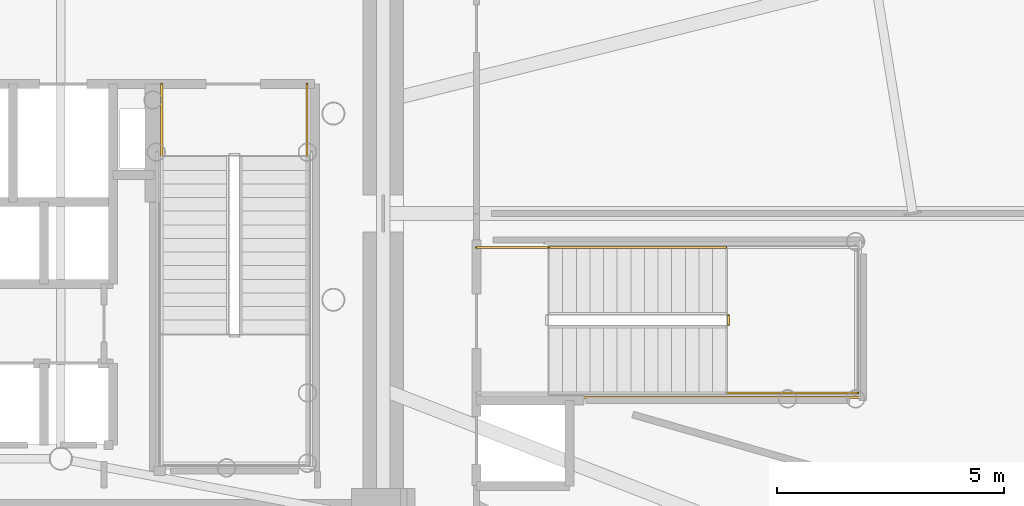
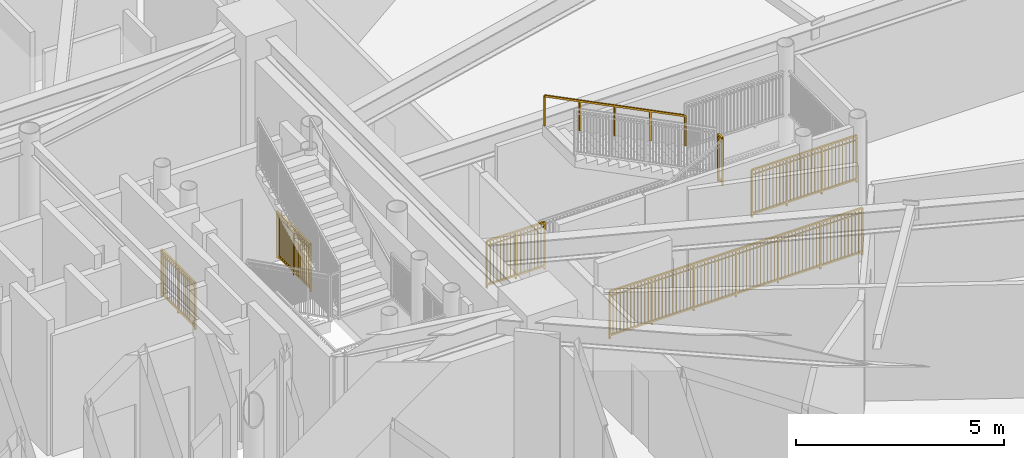
# One storey, part 30 of 32: 7 railings.
"""IFC4 building model written with IfcOpenShell, lengths in metres."""

from ifc_helpers import new_model, si_unit, direction, frame, origin, origin_2d, place, context, subcontext, project, spatial, rectangle, extrude, source, transform, mapped, material, type_object, element, save


model = new_model("IFC4")

# Units and contexts
model_context = context("Model", 3, precision=1e-05, world=origin(), true_north=direction((0.0, 1.0)))
body_context = subcontext(model_context, "Body", "Model", "MODEL_VIEW")
ifc_project = project(units=[si_unit("LENGTHUNIT", "METRE"), si_unit("AREAUNIT", "SQUARE_METRE"), si_unit("VOLUMEUNIT", "CUBIC_METRE"), si_unit("PLANEANGLEUNIT", "RADIAN"), si_unit("MASSUNIT", "GRAM", prefix="KILO")], contexts=[model_context])

# Site, building, storey
site_placement = place(None, origin())
site = spatial("IfcSite", under=ifc_project, at=site_placement, CompositionType="ELEMENT")
building_placement = place(site_placement, origin())
building = spatial("IfcBuilding", under=site, at=building_placement, Name="Linh Dai School and Residence Tower", CompositionType="ELEMENT")
storey_placement = place(building_placement, frame((0.0, 0.0, 53.39990234375)))
storey = spatial("IfcBuildingStorey", under=building, at=storey_placement, Name="L12", CompositionType="ELEMENT", Elevation=53.39990234375)

# Railings
ifc_material_1 = material(Name="Structural Steel S355JR", Category="steel")
railing_type_1 = type_object("IfcRailingType", Name="RL-ST-GUARD-1400", PredefinedType="GUARDRAIL", material=ifc_material_1)
shared_shape_1 = source(origin(), body_context, "Body", "SweptSolid", [
    extrude(rectangle(XDim=0.048095703125, YDim=0.048095703125, at=origin_2d()), frame((0.0, 0.0, 1.3759765625), z_axis=(0.0, -1.0, 0.0), x_axis=(1.0, 0.0, 0.0)), (0.0, 0.0, 1.0), 1.60009765625),
    extrude(rectangle(XDim=0.048095703125, YDim=0.048095703125, at=origin_2d()), frame((0.0, 0.0, 0.10009765625), z_axis=(0.0, -1.0, 0.0), x_axis=(1.0, 0.0, 0.0)), (0.0, 0.0, 1.0), 1.60009765625),
    extrude(rectangle(XDim=0.030029296875, YDim=0.030029296875, at=origin_2d()), frame((0.0, 0.0, 1.239990234375), z_axis=(0.0, -1.0, 0.0), x_axis=(1.0, 0.0, 0.0)), (0.0, 0.0, 1.0), 1.60009765625),
    extrude(rectangle(XDim=0.02001953125, YDim=0.02001953125, at=origin_2d()), frame((0.0, -0.09423828125, 0.10009765625)), (0.0, 0.0, 1.0), 1.251708984375),
    extrude(rectangle(XDim=0.02001953125, YDim=0.02001953125, at=origin_2d()), frame((0.0, -0.188232421875, 0.10009765625)), (0.0, 0.0, 1.0), 1.251708984375),
    extrude(rectangle(XDim=0.02001953125, YDim=0.02001953125, at=origin_2d()), frame((0.0, -0.282470703125, 0.10009765625)), (0.0, 0.0, 1.0), 1.251708984375),
    extrude(rectangle(XDim=0.02001953125, YDim=0.02001953125, at=origin_2d()), frame((0.0, -0.37646484375, 0.10009765625)), (0.0, 0.0, 1.0), 1.251708984375),
    extrude(rectangle(XDim=0.02001953125, YDim=0.02001953125, at=origin_2d()), frame((0.0, -0.470703125, 0.10009765625)), (0.0, 0.0, 1.0), 1.251708984375),
    extrude(rectangle(XDim=0.02001953125, YDim=0.02001953125, at=origin_2d()), frame((0.0, -0.564697265625, 0.10009765625)), (0.0, 0.0, 1.0), 1.251708984375),
    extrude(rectangle(XDim=0.02001953125, YDim=0.02001953125, at=origin_2d()), frame((0.0, -0.658935546875, 0.10009765625)), (0.0, 0.0, 1.0), 1.251708984375),
    extrude(rectangle(XDim=0.02001953125, YDim=0.02001953125, at=origin_2d()), frame((0.0, -0.7529296875, 0.10009765625)), (0.0, 0.0, 1.0), 1.251708984375),
    extrude(rectangle(XDim=0.02001953125, YDim=0.02001953125, at=origin_2d()), frame((0.0, -0.84716796875, 0.10009765625)), (0.0, 0.0, 1.0), 1.251708984375),
    extrude(rectangle(XDim=0.02001953125, YDim=0.02001953125, at=origin_2d()), frame((0.0, -0.941162109375, 0.10009765625)), (0.0, 0.0, 1.0), 1.251708984375),
    extrude(rectangle(XDim=0.02001953125, YDim=0.02001953125, at=origin_2d()), frame((0.0, -1.035400390625, 0.10009765625)), (0.0, 0.0, 1.0), 1.251708984375),
    extrude(rectangle(XDim=0.02001953125, YDim=0.02001953125, at=origin_2d()), frame((0.0, -1.12939453125, 0.10009765625)), (0.0, 0.0, 1.0), 1.251708984375),
    extrude(rectangle(XDim=0.02001953125, YDim=0.02001953125, at=origin_2d()), frame((0.0, -1.2236328125, 0.10009765625)), (0.0, 0.0, 1.0), 1.251708984375),
    extrude(rectangle(XDim=0.02001953125, YDim=0.02001953125, at=origin_2d()), frame((0.0, -1.317626953125, 0.10009765625)), (0.0, 0.0, 1.0), 1.251708984375),
    extrude(rectangle(XDim=0.02001953125, YDim=0.02001953125, at=origin_2d()), frame((0.0, -1.411865234375, 0.10009765625)), (0.0, 0.0, 1.0), 1.251708984375),
    extrude(rectangle(XDim=0.02001953125, YDim=0.02001953125, at=origin_2d()), frame((0.0, -1.505859375, 0.10009765625)), (0.0, 0.0, 1.0), 1.251708984375),
    extrude(rectangle(XDim=0.0419921875, YDim=0.0419921875, at=origin_2d()), origin(), (0.0, 0.0, 1.0), 1.3759765625),
    extrude(rectangle(XDim=0.0419921875, YDim=0.0419921875, at=origin_2d()), frame((0.0, -0.800048828125, 0.0)), (0.0, 0.0, 1.0), 1.3759765625),
    extrude(rectangle(XDim=0.0419921875, YDim=0.0419921875, at=origin_2d()), frame((0.0, -1.60009765625, 0.0)), (0.0, 0.0, 1.0), 1.3759765625),
])
for number, where, name in (
    (1, (41.070068359375, 29.85009765625, 0.0), "L12 ST2 stair guard 8"),
    (2, (44.27001953125, 29.85009765625, 0.0), "L12 ST2 stair guard 9"),
):
    element("IfcRailing", number, at=place(storey_placement, frame(where)), inside=storey, type_object=railing_type_1, Name=name, PredefinedType="GUARDRAIL", context=body_context, shape_type="MappedRepresentation", body=[
        mapped(shared_shape_1, transform((0.0, 0.0, 0.0), x_axis=(1.0, 0.0, 0.0), y_axis=(0.0, 1.0, 0.0), z_axis=(0.0, 0.0, 1.0), scale=1.0)),
    ])
ifc_material_2 = material(Name="Brushed Stainless Steel Handrail", Category="steel")
railing_type_2 = type_object("IfcRailingType", Name="RL-ST-HANDRAIL-900", PredefinedType="HANDRAIL", material=ifc_material_2)
shared_shape_2 = source(origin(), body_context, "Body", "SweptSolid", [
    extrude(rectangle(XDim=0.048095703125, YDim=0.048095703125, at=origin_2d()), frame((0.0, 0.0, 0.8759765625), z_axis=(-0.894404793364, 0.0, 0.447258387967), x_axis=(0.0, -1.0, 0.0)), (0.0, 0.0, 1.0), 4.3603515625),
    extrude(rectangle(XDim=0.0419921875, YDim=0.0419921875, at=origin_2d()), origin(), (0.0, 0.0, 1.0), 0.8759765625),
    extrude(rectangle(XDim=0.0419921875, YDim=0.0419921875, at=origin_2d()), frame((-0.97509765625, 0.0, 0.487548828125)), (0.0, 0.0, 1.0), 0.8759765625),
    extrude(rectangle(XDim=0.0419921875, YDim=0.0419921875, at=origin_2d()), frame((-1.949951171875, 0.0, 0.97509765625)), (0.0, 0.0, 1.0), 0.8759765625),
    extrude(rectangle(XDim=0.0419921875, YDim=0.0419921875, at=origin_2d()), frame((-2.9248046875, 0.0, 1.462646484375)), (0.0, 0.0, 1.0), 0.8759765625),
    extrude(rectangle(XDim=0.0419921875, YDim=0.0419921875, at=origin_2d()), frame((-3.89990234375, 0.0, 1.9501953125)), (0.0, 0.0, 1.0), 0.8759765625),
])
railing_1_placement = place(storey_placement, frame((53.5, 26.25, 2.25)))
element("IfcRailing", 3, at=railing_1_placement, inside=storey, type_object=railing_type_2, Name="L12 STS2 stair handrail 2", PredefinedType="HANDRAIL", context=body_context, shape_type="MappedRepresentation", body=[
    mapped(shared_shape_2, transform((0.0, 0.0, 0.0), x_axis=(1.0, 0.0, 0.0), y_axis=(0.0, 1.0, 0.0), z_axis=(0.0, 0.0, 1.0), scale=1.0)),
])
shared_shape_3 = source(origin(), body_context, "Body", "SweptSolid", [
    extrude(rectangle(XDim=0.048095703125, YDim=0.048095703125, at=origin_2d()), frame((0.0, 0.0, 1.3759765625), z_axis=(0.0, 1.0, 0.0), x_axis=(-1.0, 0.0, 0.0)), (0.0, 0.0, 1.0), 0.199951171875),
    extrude(rectangle(XDim=0.048095703125, YDim=0.048095703125, at=origin_2d()), frame((0.0, 0.0, 0.10009765625), z_axis=(0.0, 1.0, 0.0), x_axis=(-1.0, 0.0, 0.0)), (0.0, 0.0, 1.0), 0.199951171875),
    extrude(rectangle(XDim=0.030029296875, YDim=0.030029296875, at=origin_2d()), frame((0.0, 0.0, 1.239990234375), z_axis=(0.0, 1.0, 0.0), x_axis=(-1.0, 0.0, 0.0)), (0.0, 0.0, 1.0), 0.199951171875),
    extrude(rectangle(XDim=0.0419921875, YDim=0.0419921875, at=origin_2d()), origin(), (0.0, 0.0, 1.0), 1.3759765625),
    extrude(rectangle(XDim=0.0419921875, YDim=0.0419921875, at=origin_2d()), frame((0.0, 0.199951171875, 0.0)), (0.0, 0.0, 1.0), 1.3759765625),
])
railing_2_placement = place(storey_placement, frame((53.550048828125, 24.550048828125, 2.10009765625)))
element("IfcRailing", 4, at=railing_2_placement, inside=storey, type_object=railing_type_1, Name="L12 STS2 stair guard 2", PredefinedType="GUARDRAIL", context=body_context, shape_type="MappedRepresentation", body=[
    mapped(shared_shape_3, transform((0.0, 0.0, 0.0), x_axis=(1.0, 0.0, 0.0), y_axis=(0.0, 1.0, 0.0), z_axis=(0.0, 0.0, 1.0), scale=1.0)),
])
shared_shape_4 = source(origin(), body_context, "Body", "SweptSolid", [
    extrude(rectangle(XDim=0.048095703125, YDim=0.048095703125, at=origin_2d()), frame((0.0, 0.0, 1.3759765625), z_axis=(1.0, 0.0, 0.0), x_axis=(0.0, 1.0, 0.0)), (0.0, 0.0, 1.0), 1.60009765625),
    extrude(rectangle(XDim=0.048095703125, YDim=0.048095703125, at=origin_2d()), frame((0.0, 0.0, 0.10009765625), z_axis=(1.0, 0.0, 0.0), x_axis=(0.0, 1.0, 0.0)), (0.0, 0.0, 1.0), 1.60009765625),
    extrude(rectangle(XDim=0.030029296875, YDim=0.030029296875, at=origin_2d()), frame((0.0, 0.0, 1.239990234375), z_axis=(1.0, 0.0, 0.0), x_axis=(0.0, 1.0, 0.0)), (0.0, 0.0, 1.0), 1.60009765625),
    extrude(rectangle(XDim=0.02001953125, YDim=0.02001953125, at=origin_2d()), frame((0.09423828125, 0.0, 0.10009765625)), (0.0, 0.0, 1.0), 1.251708984375),
    extrude(rectangle(XDim=0.02001953125, YDim=0.02001953125, at=origin_2d()), frame((0.188232421875, 0.0, 0.10009765625)), (0.0, 0.0, 1.0), 1.251708984375),
    extrude(rectangle(XDim=0.02001953125, YDim=0.02001953125, at=origin_2d()), frame((0.282470703125, 0.0, 0.10009765625)), (0.0, 0.0, 1.0), 1.251708984375),
    extrude(rectangle(XDim=0.02001953125, YDim=0.02001953125, at=origin_2d()), frame((0.37646484375, 0.0, 0.10009765625)), (0.0, 0.0, 1.0), 1.251708984375),
    extrude(rectangle(XDim=0.02001953125, YDim=0.02001953125, at=origin_2d()), frame((0.470703125, 0.0, 0.10009765625)), (0.0, 0.0, 1.0), 1.251708984375),
    extrude(rectangle(XDim=0.02001953125, YDim=0.02001953125, at=origin_2d()), frame((0.564697265625, 0.0, 0.10009765625)), (0.0, 0.0, 1.0), 1.251708984375),
    extrude(rectangle(XDim=0.02001953125, YDim=0.02001953125, at=origin_2d()), frame((0.658935546875, 0.0, 0.10009765625)), (0.0, 0.0, 1.0), 1.251708984375),
    extrude(rectangle(XDim=0.02001953125, YDim=0.02001953125, at=origin_2d()), frame((0.7529296875, 0.0, 0.10009765625)), (0.0, 0.0, 1.0), 1.251708984375),
    extrude(rectangle(XDim=0.02001953125, YDim=0.02001953125, at=origin_2d()), frame((0.84716796875, 0.0, 0.10009765625)), (0.0, 0.0, 1.0), 1.251708984375),
    extrude(rectangle(XDim=0.02001953125, YDim=0.02001953125, at=origin_2d()), frame((0.941162109375, 0.0, 0.10009765625)), (0.0, 0.0, 1.0), 1.251708984375),
    extrude(rectangle(XDim=0.02001953125, YDim=0.02001953125, at=origin_2d()), frame((1.035400390625, 0.0, 0.10009765625)), (0.0, 0.0, 1.0), 1.251708984375),
    extrude(rectangle(XDim=0.02001953125, YDim=0.02001953125, at=origin_2d()), frame((1.12939453125, 0.0, 0.10009765625)), (0.0, 0.0, 1.0), 1.251708984375),
    extrude(rectangle(XDim=0.02001953125, YDim=0.02001953125, at=origin_2d()), frame((1.2236328125, 0.0, 0.10009765625)), (0.0, 0.0, 1.0), 1.251708984375),
    extrude(rectangle(XDim=0.02001953125, YDim=0.02001953125, at=origin_2d()), frame((1.317626953125, 0.0, 0.10009765625)), (0.0, 0.0, 1.0), 1.251708984375),
    extrude(rectangle(XDim=0.02001953125, YDim=0.02001953125, at=origin_2d()), frame((1.411865234375, 0.0, 0.10009765625)), (0.0, 0.0, 1.0), 1.251708984375),
    extrude(rectangle(XDim=0.02001953125, YDim=0.02001953125, at=origin_2d()), frame((1.505859375, 0.0, 0.10009765625)), (0.0, 0.0, 1.0), 1.251708984375),
    extrude(rectangle(XDim=0.0419921875, YDim=0.0419921875, at=origin_2d()), origin(), (0.0, 0.0, 1.0), 1.3759765625),
    extrude(rectangle(XDim=0.0419921875, YDim=0.0419921875, at=origin_2d()), frame((0.800048828125, 0.0, 0.0)), (0.0, 0.0, 1.0), 1.3759765625),
    extrude(rectangle(XDim=0.0419921875, YDim=0.0419921875, at=origin_2d()), frame((1.60009765625, 0.0, 0.0)), (0.0, 0.0, 1.0), 1.3759765625),
])
railing_3_placement = place(storey_placement, frame((48.0, 26.25, 0.0)))
element("IfcRailing", 5, at=railing_3_placement, inside=storey, type_object=railing_type_1, Name="L12 STS2 stair guard 9", PredefinedType="GUARDRAIL", context=body_context, shape_type="MappedRepresentation", body=[
    mapped(shared_shape_4, transform((0.0, 0.0, 0.0), x_axis=(1.0, 0.0, 0.0), y_axis=(0.0, 1.0, 0.0), z_axis=(0.0, 0.0, 1.0), scale=1.0)),
])
shared_shape_5 = source(origin(), body_context, "Body", "SweptSolid", [
    extrude(rectangle(XDim=0.048095703125, YDim=0.048095703125, at=origin_2d()), frame((0.0, 0.0, 1.3759765625), z_axis=(1.0, 0.0, 0.0), x_axis=(0.0, 1.0, 0.0)), (0.0, 0.0, 1.0), 2.89990234375),
    extrude(rectangle(XDim=0.048095703125, YDim=0.048095703125, at=origin_2d()), frame((0.0, 0.0, 0.10009765625), z_axis=(1.0, 0.0, 0.0), x_axis=(0.0, 1.0, 0.0)), (0.0, 0.0, 1.0), 2.89990234375),
    extrude(rectangle(XDim=0.030029296875, YDim=0.030029296875, at=origin_2d()), frame((0.0, 0.0, 1.239990234375), z_axis=(1.0, 0.0, 0.0), x_axis=(0.0, 1.0, 0.0)), (0.0, 0.0, 1.0), 2.89990234375),
    extrude(rectangle(XDim=0.02001953125, YDim=0.02001953125, at=origin_2d()), frame((0.0966796875, 0.0, 0.10009765625)), (0.0, 0.0, 1.0), 1.251708984375),
    extrude(rectangle(XDim=0.02001953125, YDim=0.02001953125, at=origin_2d()), frame((0.193359375, 0.0, 0.10009765625)), (0.0, 0.0, 1.0), 1.251708984375),
    extrude(rectangle(XDim=0.02001953125, YDim=0.02001953125, at=origin_2d()), frame((0.2900390625, 0.0, 0.10009765625)), (0.0, 0.0, 1.0), 1.251708984375),
    extrude(rectangle(XDim=0.02001953125, YDim=0.02001953125, at=origin_2d()), frame((0.38671875, 0.0, 0.10009765625)), (0.0, 0.0, 1.0), 1.251708984375),
    extrude(rectangle(XDim=0.02001953125, YDim=0.02001953125, at=origin_2d()), frame((0.4833984375, 0.0, 0.10009765625)), (0.0, 0.0, 1.0), 1.251708984375),
    extrude(rectangle(XDim=0.02001953125, YDim=0.02001953125, at=origin_2d()), frame((0.580078125, 0.0, 0.10009765625)), (0.0, 0.0, 1.0), 1.251708984375),
    extrude(rectangle(XDim=0.02001953125, YDim=0.02001953125, at=origin_2d()), frame((0.6767578125, 0.0, 0.10009765625)), (0.0, 0.0, 1.0), 1.251708984375),
    extrude(rectangle(XDim=0.02001953125, YDim=0.02001953125, at=origin_2d()), frame((0.773193359375, 0.0, 0.10009765625)), (0.0, 0.0, 1.0), 1.251708984375),
    extrude(rectangle(XDim=0.02001953125, YDim=0.02001953125, at=origin_2d()), frame((0.869873046875, 0.0, 0.10009765625)), (0.0, 0.0, 1.0), 1.251708984375),
    extrude(rectangle(XDim=0.02001953125, YDim=0.02001953125, at=origin_2d()), frame((1.063232421875, 0.0, 0.10009765625)), (0.0, 0.0, 1.0), 1.251708984375),
    extrude(rectangle(XDim=0.02001953125, YDim=0.02001953125, at=origin_2d()), frame((1.159912109375, 0.0, 0.10009765625)), (0.0, 0.0, 1.0), 1.251708984375),
    extrude(rectangle(XDim=0.02001953125, YDim=0.02001953125, at=origin_2d()), frame((1.256591796875, 0.0, 0.10009765625)), (0.0, 0.0, 1.0), 1.251708984375),
    extrude(rectangle(XDim=0.02001953125, YDim=0.02001953125, at=origin_2d()), frame((1.353271484375, 0.0, 0.10009765625)), (0.0, 0.0, 1.0), 1.251708984375),
    extrude(rectangle(XDim=0.02001953125, YDim=0.02001953125, at=origin_2d()), frame((1.449951171875, 0.0, 0.10009765625)), (0.0, 0.0, 1.0), 1.251708984375),
    extrude(rectangle(XDim=0.02001953125, YDim=0.02001953125, at=origin_2d()), frame((1.546630859375, 0.0, 0.10009765625)), (0.0, 0.0, 1.0), 1.251708984375),
    extrude(rectangle(XDim=0.02001953125, YDim=0.02001953125, at=origin_2d()), frame((1.643310546875, 0.0, 0.10009765625)), (0.0, 0.0, 1.0), 1.251708984375),
    extrude(rectangle(XDim=0.02001953125, YDim=0.02001953125, at=origin_2d()), frame((1.739990234375, 0.0, 0.10009765625)), (0.0, 0.0, 1.0), 1.251708984375),
    extrude(rectangle(XDim=0.02001953125, YDim=0.02001953125, at=origin_2d()), frame((1.836669921875, 0.0, 0.10009765625)), (0.0, 0.0, 1.0), 1.251708984375),
    extrude(rectangle(XDim=0.02001953125, YDim=0.02001953125, at=origin_2d()), frame((2.030029296875, 0.0, 0.10009765625)), (0.0, 0.0, 1.0), 1.251708984375),
    extrude(rectangle(XDim=0.02001953125, YDim=0.02001953125, at=origin_2d()), frame((2.126708984375, 0.0, 0.10009765625)), (0.0, 0.0, 1.0), 1.251708984375),
    extrude(rectangle(XDim=0.02001953125, YDim=0.02001953125, at=origin_2d()), frame((2.22314453125, 0.0, 0.10009765625)), (0.0, 0.0, 1.0), 1.251708984375),
    extrude(rectangle(XDim=0.02001953125, YDim=0.02001953125, at=origin_2d()), frame((2.31982421875, 0.0, 0.10009765625)), (0.0, 0.0, 1.0), 1.251708984375),
    extrude(rectangle(XDim=0.02001953125, YDim=0.02001953125, at=origin_2d()), frame((2.41650390625, 0.0, 0.10009765625)), (0.0, 0.0, 1.0), 1.251708984375),
    extrude(rectangle(XDim=0.02001953125, YDim=0.02001953125, at=origin_2d()), frame((2.51318359375, 0.0, 0.10009765625)), (0.0, 0.0, 1.0), 1.251708984375),
    extrude(rectangle(XDim=0.02001953125, YDim=0.02001953125, at=origin_2d()), frame((2.60986328125, 0.0, 0.10009765625)), (0.0, 0.0, 1.0), 1.251708984375),
    extrude(rectangle(XDim=0.02001953125, YDim=0.02001953125, at=origin_2d()), frame((2.70654296875, 0.0, 0.10009765625)), (0.0, 0.0, 1.0), 1.251708984375),
    extrude(rectangle(XDim=0.02001953125, YDim=0.02001953125, at=origin_2d()), frame((2.80322265625, 0.0, 0.10009765625)), (0.0, 0.0, 1.0), 1.251708984375),
    extrude(rectangle(XDim=0.0419921875, YDim=0.0419921875, at=origin_2d()), origin(), (0.0, 0.0, 1.0), 1.3759765625),
    extrude(rectangle(XDim=0.0419921875, YDim=0.0419921875, at=origin_2d()), frame((0.966552734375, 0.0, 0.0)), (0.0, 0.0, 1.0), 1.3759765625),
    extrude(rectangle(XDim=0.0419921875, YDim=0.0419921875, at=origin_2d()), frame((1.933349609375, 0.0, 0.0)), (0.0, 0.0, 1.0), 1.3759765625),
    extrude(rectangle(XDim=0.0419921875, YDim=0.0419921875, at=origin_2d()), frame((2.89990234375, 0.0, 0.0)), (0.0, 0.0, 1.0), 1.3759765625),
])
railing_4_placement = place(storey_placement, frame((53.5, 23.050048828125, 2.10009765625)))
element("IfcRailing", 6, at=railing_4_placement, inside=storey, type_object=railing_type_1, Name="L12 STS2 stair guard 3", PredefinedType="GUARDRAIL", context=body_context, shape_type="MappedRepresentation", body=[
    mapped(shared_shape_5, transform((0.0, 0.0, 0.0), x_axis=(1.0, 0.0, 0.0), y_axis=(0.0, 1.0, 0.0), z_axis=(0.0, 0.0, 1.0), scale=1.0)),
])
shared_shape_6 = source(origin(), body_context, "Body", "SweptSolid", [
    extrude(rectangle(XDim=0.048095703125, YDim=0.048095703125, at=origin_2d()), frame((0.0, 0.0, 1.3759765625), z_axis=(1.0, 0.0, 0.0), x_axis=(0.0, 1.0, 0.0)), (0.0, 0.0, 1.0), 7.0),
    extrude(rectangle(XDim=0.048095703125, YDim=0.048095703125, at=origin_2d()), frame((0.0, 0.0, 0.10009765625), z_axis=(1.0, 0.0, 0.0), x_axis=(0.0, 1.0, 0.0)), (0.0, 0.0, 1.0), 7.0),
    extrude(rectangle(XDim=0.030029296875, YDim=0.030029296875, at=origin_2d()), frame((0.0, 0.0, 1.239990234375), z_axis=(1.0, 0.0, 0.0), x_axis=(0.0, 1.0, 0.0)), (0.0, 0.0, 1.0), 7.0),
    extrude(rectangle(XDim=0.02001953125, YDim=0.02001953125, at=origin_2d()), frame((0.09716796875, 0.0, 0.10009765625)), (0.0, 0.0, 1.0), 1.251708984375),
    extrude(rectangle(XDim=0.02001953125, YDim=0.02001953125, at=origin_2d()), frame((0.1943359375, 0.0, 0.10009765625)), (0.0, 0.0, 1.0), 1.251708984375),
    extrude(rectangle(XDim=0.02001953125, YDim=0.02001953125, at=origin_2d()), frame((0.291748046875, 0.0, 0.10009765625)), (0.0, 0.0, 1.0), 1.251708984375),
    extrude(rectangle(XDim=0.02001953125, YDim=0.02001953125, at=origin_2d()), frame((0.388916015625, 0.0, 0.10009765625)), (0.0, 0.0, 1.0), 1.251708984375),
    extrude(rectangle(XDim=0.02001953125, YDim=0.02001953125, at=origin_2d()), frame((0.486083984375, 0.0, 0.10009765625)), (0.0, 0.0, 1.0), 1.251708984375),
    extrude(rectangle(XDim=0.02001953125, YDim=0.02001953125, at=origin_2d()), frame((0.583251953125, 0.0, 0.10009765625)), (0.0, 0.0, 1.0), 1.251708984375),
    extrude(rectangle(XDim=0.02001953125, YDim=0.02001953125, at=origin_2d()), frame((0.6806640625, 0.0, 0.10009765625)), (0.0, 0.0, 1.0), 1.251708984375),
    extrude(rectangle(XDim=0.02001953125, YDim=0.02001953125, at=origin_2d()), frame((0.77783203125, 0.0, 0.10009765625)), (0.0, 0.0, 1.0), 1.251708984375),
    extrude(rectangle(XDim=0.02001953125, YDim=0.02001953125, at=origin_2d()), frame((0.875, 0.0, 0.10009765625)), (0.0, 0.0, 1.0), 1.251708984375),
    extrude(rectangle(XDim=0.02001953125, YDim=0.02001953125, at=origin_2d()), frame((0.97216796875, 0.0, 0.10009765625)), (0.0, 0.0, 1.0), 1.251708984375),
    extrude(rectangle(XDim=0.02001953125, YDim=0.02001953125, at=origin_2d()), frame((1.0693359375, 0.0, 0.10009765625)), (0.0, 0.0, 1.0), 1.251708984375),
    extrude(rectangle(XDim=0.02001953125, YDim=0.02001953125, at=origin_2d()), frame((1.263916015625, 0.0, 0.10009765625)), (0.0, 0.0, 1.0), 1.251708984375),
    extrude(rectangle(XDim=0.02001953125, YDim=0.02001953125, at=origin_2d()), frame((1.361083984375, 0.0, 0.10009765625)), (0.0, 0.0, 1.0), 1.251708984375),
    extrude(rectangle(XDim=0.02001953125, YDim=0.02001953125, at=origin_2d()), frame((1.458251953125, 0.0, 0.10009765625)), (0.0, 0.0, 1.0), 1.251708984375),
    extrude(rectangle(XDim=0.02001953125, YDim=0.02001953125, at=origin_2d()), frame((1.5556640625, 0.0, 0.10009765625)), (0.0, 0.0, 1.0), 1.251708984375),
    extrude(rectangle(XDim=0.02001953125, YDim=0.02001953125, at=origin_2d()), frame((1.65283203125, 0.0, 0.10009765625)), (0.0, 0.0, 1.0), 1.251708984375),
    extrude(rectangle(XDim=0.02001953125, YDim=0.02001953125, at=origin_2d()), frame((1.75, 0.0, 0.10009765625)), (0.0, 0.0, 1.0), 1.251708984375),
    extrude(rectangle(XDim=0.02001953125, YDim=0.02001953125, at=origin_2d()), frame((1.84716796875, 0.0, 0.10009765625)), (0.0, 0.0, 1.0), 1.251708984375),
    extrude(rectangle(XDim=0.02001953125, YDim=0.02001953125, at=origin_2d()), frame((1.9443359375, 0.0, 0.10009765625)), (0.0, 0.0, 1.0), 1.251708984375),
    extrude(rectangle(XDim=0.02001953125, YDim=0.02001953125, at=origin_2d()), frame((2.041748046875, 0.0, 0.10009765625)), (0.0, 0.0, 1.0), 1.251708984375),
    extrude(rectangle(XDim=0.02001953125, YDim=0.02001953125, at=origin_2d()), frame((2.138916015625, 0.0, 0.10009765625)), (0.0, 0.0, 1.0), 1.251708984375),
    extrude(rectangle(XDim=0.02001953125, YDim=0.02001953125, at=origin_2d()), frame((2.236083984375, 0.0, 0.10009765625)), (0.0, 0.0, 1.0), 1.251708984375),
    extrude(rectangle(XDim=0.02001953125, YDim=0.02001953125, at=origin_2d()), frame((2.4306640625, 0.0, 0.10009765625)), (0.0, 0.0, 1.0), 1.251708984375),
    extrude(rectangle(XDim=0.02001953125, YDim=0.02001953125, at=origin_2d()), frame((2.52783203125, 0.0, 0.10009765625)), (0.0, 0.0, 1.0), 1.251708984375),
    extrude(rectangle(XDim=0.02001953125, YDim=0.02001953125, at=origin_2d()), frame((2.625, 0.0, 0.10009765625)), (0.0, 0.0, 1.0), 1.251708984375),
    extrude(rectangle(XDim=0.02001953125, YDim=0.02001953125, at=origin_2d()), frame((2.72216796875, 0.0, 0.10009765625)), (0.0, 0.0, 1.0), 1.251708984375),
    extrude(rectangle(XDim=0.02001953125, YDim=0.02001953125, at=origin_2d()), frame((2.8193359375, 0.0, 0.10009765625)), (0.0, 0.0, 1.0), 1.251708984375),
    extrude(rectangle(XDim=0.02001953125, YDim=0.02001953125, at=origin_2d()), frame((2.916748046875, 0.0, 0.10009765625)), (0.0, 0.0, 1.0), 1.251708984375),
    extrude(rectangle(XDim=0.02001953125, YDim=0.02001953125, at=origin_2d()), frame((3.013916015625, 0.0, 0.10009765625)), (0.0, 0.0, 1.0), 1.251708984375),
    extrude(rectangle(XDim=0.02001953125, YDim=0.02001953125, at=origin_2d()), frame((3.111083984375, 0.0, 0.10009765625)), (0.0, 0.0, 1.0), 1.251708984375),
    extrude(rectangle(XDim=0.02001953125, YDim=0.02001953125, at=origin_2d()), frame((3.208251953125, 0.0, 0.10009765625)), (0.0, 0.0, 1.0), 1.251708984375),
    extrude(rectangle(XDim=0.02001953125, YDim=0.02001953125, at=origin_2d()), frame((3.3056640625, 0.0, 0.10009765625)), (0.0, 0.0, 1.0), 1.251708984375),
    extrude(rectangle(XDim=0.02001953125, YDim=0.02001953125, at=origin_2d()), frame((3.40283203125, 0.0, 0.10009765625)), (0.0, 0.0, 1.0), 1.251708984375),
    extrude(rectangle(XDim=0.02001953125, YDim=0.02001953125, at=origin_2d()), frame((3.59716796875, 0.0, 0.10009765625)), (0.0, 0.0, 1.0), 1.251708984375),
    extrude(rectangle(XDim=0.02001953125, YDim=0.02001953125, at=origin_2d()), frame((3.6943359375, 0.0, 0.10009765625)), (0.0, 0.0, 1.0), 1.251708984375),
    extrude(rectangle(XDim=0.02001953125, YDim=0.02001953125, at=origin_2d()), frame((3.791748046875, 0.0, 0.10009765625)), (0.0, 0.0, 1.0), 1.251708984375),
    extrude(rectangle(XDim=0.02001953125, YDim=0.02001953125, at=origin_2d()), frame((3.888916015625, 0.0, 0.10009765625)), (0.0, 0.0, 1.0), 1.251708984375),
    extrude(rectangle(XDim=0.02001953125, YDim=0.02001953125, at=origin_2d()), frame((3.986083984375, 0.0, 0.10009765625)), (0.0, 0.0, 1.0), 1.251708984375),
    extrude(rectangle(XDim=0.02001953125, YDim=0.02001953125, at=origin_2d()), frame((4.083251953125, 0.0, 0.10009765625)), (0.0, 0.0, 1.0), 1.251708984375),
    extrude(rectangle(XDim=0.02001953125, YDim=0.02001953125, at=origin_2d()), frame((4.1806640625, 0.0, 0.10009765625)), (0.0, 0.0, 1.0), 1.251708984375),
    extrude(rectangle(XDim=0.02001953125, YDim=0.02001953125, at=origin_2d()), frame((4.27783203125, 0.0, 0.10009765625)), (0.0, 0.0, 1.0), 1.251708984375),
    extrude(rectangle(XDim=0.02001953125, YDim=0.02001953125, at=origin_2d()), frame((4.375, 0.0, 0.10009765625)), (0.0, 0.0, 1.0), 1.251708984375),
    extrude(rectangle(XDim=0.02001953125, YDim=0.02001953125, at=origin_2d()), frame((4.47216796875, 0.0, 0.10009765625)), (0.0, 0.0, 1.0), 1.251708984375),
    extrude(rectangle(XDim=0.02001953125, YDim=0.02001953125, at=origin_2d()), frame((4.5693359375, 0.0, 0.10009765625)), (0.0, 0.0, 1.0), 1.251708984375),
    extrude(rectangle(XDim=0.02001953125, YDim=0.02001953125, at=origin_2d()), frame((4.763916015625, 0.0, 0.10009765625)), (0.0, 0.0, 1.0), 1.251708984375),
    extrude(rectangle(XDim=0.02001953125, YDim=0.02001953125, at=origin_2d()), frame((4.861083984375, 0.0, 0.10009765625)), (0.0, 0.0, 1.0), 1.251708984375),
    extrude(rectangle(XDim=0.02001953125, YDim=0.02001953125, at=origin_2d()), frame((4.958251953125, 0.0, 0.10009765625)), (0.0, 0.0, 1.0), 1.251708984375),
    extrude(rectangle(XDim=0.02001953125, YDim=0.02001953125, at=origin_2d()), frame((5.0556640625, 0.0, 0.10009765625)), (0.0, 0.0, 1.0), 1.251708984375),
    extrude(rectangle(XDim=0.02001953125, YDim=0.02001953125, at=origin_2d()), frame((5.15283203125, 0.0, 0.10009765625)), (0.0, 0.0, 1.0), 1.251708984375),
    extrude(rectangle(XDim=0.02001953125, YDim=0.02001953125, at=origin_2d()), frame((5.25, 0.0, 0.10009765625)), (0.0, 0.0, 1.0), 1.251708984375),
    extrude(rectangle(XDim=0.02001953125, YDim=0.02001953125, at=origin_2d()), frame((5.34716796875, 0.0, 0.10009765625)), (0.0, 0.0, 1.0), 1.251708984375),
    extrude(rectangle(XDim=0.02001953125, YDim=0.02001953125, at=origin_2d()), frame((5.4443359375, 0.0, 0.10009765625)), (0.0, 0.0, 1.0), 1.251708984375),
    extrude(rectangle(XDim=0.02001953125, YDim=0.02001953125, at=origin_2d()), frame((5.541748046875, 0.0, 0.10009765625)), (0.0, 0.0, 1.0), 1.251708984375),
    extrude(rectangle(XDim=0.02001953125, YDim=0.02001953125, at=origin_2d()), frame((5.638916015625, 0.0, 0.10009765625)), (0.0, 0.0, 1.0), 1.251708984375),
    extrude(rectangle(XDim=0.02001953125, YDim=0.02001953125, at=origin_2d()), frame((5.736083984375, 0.0, 0.10009765625)), (0.0, 0.0, 1.0), 1.251708984375),
    extrude(rectangle(XDim=0.02001953125, YDim=0.02001953125, at=origin_2d()), frame((5.9306640625, 0.0, 0.10009765625)), (0.0, 0.0, 1.0), 1.251708984375),
    extrude(rectangle(XDim=0.02001953125, YDim=0.02001953125, at=origin_2d()), frame((6.02783203125, 0.0, 0.10009765625)), (0.0, 0.0, 1.0), 1.251708984375),
    extrude(rectangle(XDim=0.02001953125, YDim=0.02001953125, at=origin_2d()), frame((6.125, 0.0, 0.10009765625)), (0.0, 0.0, 1.0), 1.251708984375),
    extrude(rectangle(XDim=0.02001953125, YDim=0.02001953125, at=origin_2d()), frame((6.22216796875, 0.0, 0.10009765625)), (0.0, 0.0, 1.0), 1.251708984375),
    extrude(rectangle(XDim=0.02001953125, YDim=0.02001953125, at=origin_2d()), frame((6.3193359375, 0.0, 0.10009765625)), (0.0, 0.0, 1.0), 1.251708984375),
    extrude(rectangle(XDim=0.02001953125, YDim=0.02001953125, at=origin_2d()), frame((6.416748046875, 0.0, 0.10009765625)), (0.0, 0.0, 1.0), 1.251708984375),
    extrude(rectangle(XDim=0.02001953125, YDim=0.02001953125, at=origin_2d()), frame((6.513916015625, 0.0, 0.10009765625)), (0.0, 0.0, 1.0), 1.251708984375),
    extrude(rectangle(XDim=0.02001953125, YDim=0.02001953125, at=origin_2d()), frame((6.611083984375, 0.0, 0.10009765625)), (0.0, 0.0, 1.0), 1.251708984375),
    extrude(rectangle(XDim=0.02001953125, YDim=0.02001953125, at=origin_2d()), frame((6.708251953125, 0.0, 0.10009765625)), (0.0, 0.0, 1.0), 1.251708984375),
    extrude(rectangle(XDim=0.02001953125, YDim=0.02001953125, at=origin_2d()), frame((6.8056640625, 0.0, 0.10009765625)), (0.0, 0.0, 1.0), 1.251708984375),
    extrude(rectangle(XDim=0.02001953125, YDim=0.02001953125, at=origin_2d()), frame((6.90283203125, 0.0, 0.10009765625)), (0.0, 0.0, 1.0), 1.251708984375),
    extrude(rectangle(XDim=0.0419921875, YDim=0.0419921875, at=origin_2d()), origin(), (0.0, 0.0, 1.0), 1.3759765625),
    extrude(rectangle(XDim=0.0419921875, YDim=0.0419921875, at=origin_2d()), frame((1.166748046875, 0.0, 0.0)), (0.0, 0.0, 1.0), 1.3759765625),
    extrude(rectangle(XDim=0.0419921875, YDim=0.0419921875, at=origin_2d()), frame((2.333251953125, 0.0, 0.0)), (0.0, 0.0, 1.0), 1.3759765625),
    extrude(rectangle(XDim=0.0419921875, YDim=0.0419921875, at=origin_2d()), frame((3.5, 0.0, 0.0)), (0.0, 0.0, 1.0), 1.3759765625),
    extrude(rectangle(XDim=0.0419921875, YDim=0.0419921875, at=origin_2d()), frame((4.666748046875, 0.0, 0.0)), (0.0, 0.0, 1.0), 1.3759765625),
    extrude(rectangle(XDim=0.0419921875, YDim=0.0419921875, at=origin_2d()), frame((5.833251953125, 0.0, 0.0)), (0.0, 0.0, 1.0), 1.3759765625),
    extrude(rectangle(XDim=0.0419921875, YDim=0.0419921875, at=origin_2d()), frame((7.0, 0.0, 0.0)), (0.0, 0.0, 1.0), 1.3759765625),
])
railing_5_placement = place(storey_placement, frame((49.5, 22.949951171875, 0.0)))
element("IfcRailing", 7, at=railing_5_placement, inside=storey, type_object=railing_type_1, Name="L12 STS2 stair guard 10", PredefinedType="GUARDRAIL", context=body_context, shape_type="MappedRepresentation", body=[
    mapped(shared_shape_6, transform((0.0, 0.0, 0.0), x_axis=(1.0, 0.0, 0.0), y_axis=(0.0, 1.0, 0.0), z_axis=(0.0, 0.0, 1.0), scale=1.0)),
])

save(model, "model.ifc")
